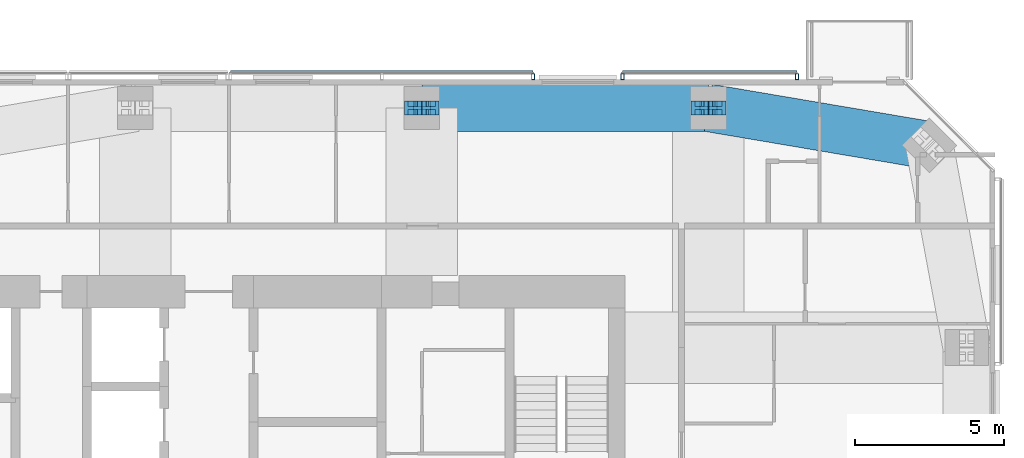
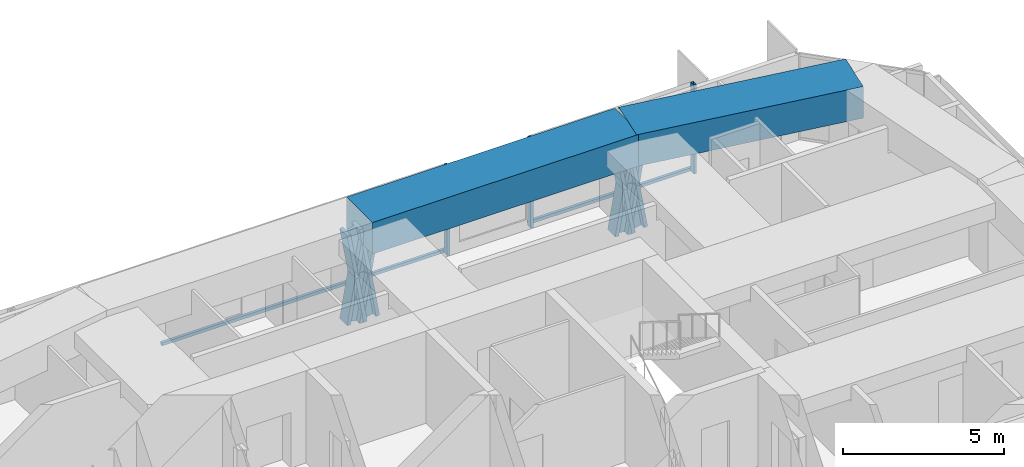
# One storey, part 11 of 20: 13 members, 2 beams, 2 elements without a shape of their own.
"""IFC4 building model written with IfcOpenShell, lengths in metres."""

from ifc_helpers import new_model, si_unit, direction, frame, origin, origin_2d, place, context, subcontext, project, spatial, rectangle, hollow_rectangle, i_section, extrude, material, material_profile, profile_set, type_object, element, aggregate, save


model = new_model("IFC4")

# Units and contexts
model_context = context("Model", 3, precision=1e-05, world=origin(), true_north=direction((0.0, 1.0)))
body_context = subcontext(model_context, "Body", "Model", "MODEL_VIEW")
ifc_project = project(units=[si_unit("LENGTHUNIT", "METRE"), si_unit("AREAUNIT", "SQUARE_METRE"), si_unit("VOLUMEUNIT", "CUBIC_METRE"), si_unit("PLANEANGLEUNIT", "RADIAN"), si_unit("MASSUNIT", "GRAM", prefix="KILO")], contexts=[model_context])

# Site, building, storey
site_placement = place(None, origin())
site = spatial("IfcSite", under=ifc_project, at=site_placement, CompositionType="ELEMENT")
building_placement = place(site_placement, origin())
building = spatial("IfcBuilding", under=site, at=building_placement, Name="Jalousie Tower", CompositionType="ELEMENT")
storey_placement = place(building_placement, frame((0.0, 0.0, 245.949951171875)))
storey = spatial("IfcBuildingStorey", under=building, at=storey_placement, Name="L67", CompositionType="ELEMENT", Elevation=245.949951171875)

# Members
ifc_material_1 = material(Name="Steel ASTM A992 Grade 50", Category="steel")
ifc_material_profile_1 = material_profile(ifc_material_1, i_section(OverallWidth=0.472412109375, OverallDepth=0.5791015625, WebThickness=0.094970703125, FlangeThickness=0.1298828125, at=origin_2d()), Name="W14X808")
ifc_profile_set_1 = profile_set([ifc_material_profile_1], Name="Steel ASTM A992 Grade 50")
member_type_1 = type_object("IfcMemberType", Name="PERIMETER BRACE W14X808", PredefinedType="BRACE", material=ifc_profile_set_1)
for number, where, z_axis, x_axis, name in (
    (1, (46.574951171875, 33.050048828125, -0.599853515625), (0.168990530437, 0.0, 0.98561767467), (0.0, 1.0, 0.0), "Perimeter brace 09 L67 part 1"),
    (2, (46.875, 33.050048828125, 1.150146484375), (0.168990530437, 0.0, 0.98561767467), (0.0, 1.0, 0.0), "Perimeter brace 09 L67 part 2"),
    (3, (47.175048828125, 33.050048828125, -0.599853515625), (-0.168990530437, 0.0, 0.98561767467), (0.0, -1.0, 0.0), "Perimeter brace 09 L67 part 3"),
    (4, (46.875, 33.050048828125, 1.150146484375), (-0.168990530437, 0.0, 0.98561767467), (0.0, -1.0, 0.0), "Perimeter brace 09 L67 part 4"),
    (5, (36.949951171875, 33.050048828125, -0.599853515625), (0.168990530437, 0.0, 0.98561767467), (0.0, 1.0, 0.0), "Perimeter brace 10 L67 part 1"),
    (6, (37.25, 33.050048828125, 1.150146484375), (0.168990530437, 0.0, 0.98561767467), (0.0, 1.0, 0.0), "Perimeter brace 10 L67 part 2"),
    (7, (37.550048828125, 33.050048828125, -0.599853515625), (-0.168990530437, 0.0, 0.98561767467), (0.0, -1.0, 0.0), "Perimeter brace 10 L67 part 3"),
    (8, (37.25, 33.050048828125, 1.150146484375), (-0.168990530437, 0.0, 0.98561767467), (0.0, -1.0, 0.0), "Perimeter brace 10 L67 part 4"),
):
    element("IfcMember", number, at=place(storey_placement, frame(where, z_axis=z_axis, x_axis=x_axis)), inside=storey, type_object=member_type_1, Name=name, PredefinedType="BRACE", context=body_context, shape_type="SweptSolid", body=[
        extrude(i_section(OverallWidth=0.472412109375, OverallDepth=0.5791015625, WebThickness=0.094970703125, FlangeThickness=0.1298828125, at=origin_2d()), origin(), (0.0, 0.0, 1.0), 1.775634765625),
    ])

# Beams
ifc_material_2 = material(Name="Concrete f'c 40 MPa", Category="concrete")
ifc_material_profile_2 = material_profile(ifc_material_2, rectangle(XDim=1.60009765625, YDim=1.199951171875, at=origin_2d()), Name="RC 1600x1200")
ifc_profile_set_2 = profile_set([ifc_material_profile_2], Name="Concrete f'c 40 MPa")
beam_type = type_object("IfcBeamType", Name="RC BEAM 1600x1200", PredefinedType="BEAM", material=ifc_profile_set_2)
beam_1_placement = place(storey_placement, frame((54.29296875, 31.79296875, 2.900146484375), z_axis=(-0.985942997446, 0.167082033105, 0.0), x_axis=(-0.167082033105, -0.985942997446, 0.0)))
element("IfcBeam", 9, at=beam_1_placement, inside=storey, type_object=beam_type, Name="Edge band beam 08-09 under L68", PredefinedType="BEAM", context=body_context, shape_type="SweptSolid", body=[
    extrude(rectangle(XDim=1.60009765625, YDim=1.199951171875, at=origin_2d()), origin(), (0.0, 0.0, 1.0), 7.523681640625),
])
beam_2_placement = place(storey_placement, frame((46.875, 33.050048828125, 2.900146484375), z_axis=(-1.0, 0.0, 0.0), x_axis=(0.0, -1.0, 0.0)))
element("IfcBeam", 10, at=beam_2_placement, inside=storey, type_object=beam_type, Name="Edge band beam 09-10 under L68", PredefinedType="BEAM", context=body_context, shape_type="SweptSolid", body=[
    extrude(rectangle(XDim=1.60009765625, YDim=1.199951171875, at=origin_2d()), origin(), (0.0, 0.0, 1.0), 9.625),
])

# Curtain wall, members
ifc_material_3 = material(Name="Perforated aluminium sheet", Category="aluminium")
curtain_wall_type = type_object("IfcCurtainWallType", Name="SOLAR SCREEN SS-2", PredefinedType="USERDEFINED", material=ifc_material_3)
curtain_wall_1_placement = place(storey_placement, origin())
curtain_wall_1 = element("IfcCurtainWall", 11, at=curtain_wall_1_placement, inside=storey, type_object=curtain_wall_type, Name="Solar screen L67", ObjectType="SOLAR SCREEN SS-2", PredefinedType="USERDEFINED")
ifc_material_4 = material(Name="Steel ASTM A500 Grade C", Category="steel")
ifc_material_profile_3 = material_profile(ifc_material_4, hollow_rectangle(XDim=0.1015625, YDim=0.203125, WallThickness=0.0078125, at=origin_2d()), Name="HSS8X4X5/16")
ifc_profile_set_3 = profile_set([ifc_material_profile_3], Name="Steel ASTM A500 Grade C")
member_type_2 = type_object("IfcMemberType", Name="SOLAR SCREEN SS-2 MULLION", PredefinedType="MULLION", material=ifc_profile_set_3)
member_1_placement = place(storey_placement, frame((49.8486328125, 34.0966796875, -0.119873046875), z_axis=(0.0, 0.0, 1.0), x_axis=(-1.0, 0.0, 0.0)))
member_1 = element("IfcMember", 12, at=member_1_placement, type_object=member_type_2, Name="SS2 post 1", PredefinedType="MULLION", context=body_context, shape_type="SweptSolid", body=[
    extrude(hollow_rectangle(XDim=0.1015625, YDim=0.203125, WallThickness=0.0078125, at=origin_2d()), origin(), (0.0, 0.0, 1.0), 3.3798828125),
])
member_2_placement = place(storey_placement, frame((43.98876953125, 34.0966796875, -0.119873046875), z_axis=(0.0, 0.0, 1.0), x_axis=(-1.0, 0.0, 0.0)))
member_2 = element("IfcMember", 13, at=member_2_placement, type_object=member_type_2, Name="SS2 post 2", PredefinedType="MULLION", context=body_context, shape_type="SweptSolid", body=[
    extrude(hollow_rectangle(XDim=0.1015625, YDim=0.203125, WallThickness=0.0078125, at=origin_2d()), origin(), (0.0, 0.0, 1.0), 3.3798828125),
])

# Curtain wall, member
curtain_wall_2_placement = place(storey_placement, origin())
curtain_wall_2 = element("IfcCurtainWall", 14, at=curtain_wall_2_placement, inside=storey, type_object=curtain_wall_type, Name="Solar screen L67", ObjectType="SOLAR SCREEN SS-2", PredefinedType="USERDEFINED")
member_3_placement = place(storey_placement, frame((40.98876953125, 34.0966796875, -0.119873046875), z_axis=(0.0, 0.0, 1.0), x_axis=(-1.0, 0.0, 0.0)))
member_3 = element("IfcMember", 15, at=member_3_placement, type_object=member_type_2, Name="SS2 post 1", PredefinedType="MULLION", context=body_context, shape_type="SweptSolid", body=[
    extrude(hollow_rectangle(XDim=0.1015625, YDim=0.203125, WallThickness=0.0078125, at=origin_2d()), origin(), (0.0, 0.0, 1.0), 3.3798828125),
])

# Member
ifc_material_5 = material(Name="Extruded aluminium screen rail", Category="aluminium")
ifc_material_profile_4 = material_profile(ifc_material_5, rectangle(XDim=0.1015625, YDim=0.1201171875, at=origin_2d()), Name="RAIL 102x120")
ifc_profile_set_4 = profile_set([ifc_material_profile_4], Name="Extruded aluminium screen rail")
member_type_3 = type_object("IfcMemberType", Name="SOLAR SCREEN SS-2 TRANSOM", PredefinedType="USERDEFINED", material=ifc_profile_set_4)
member_4_placement = place(storey_placement, frame((49.8486328125, 34.2490234375, -0.06005859375), z_axis=(-1.0, 0.0, 0.0), x_axis=(0.0, -1.0, 0.0)))
member_4 = element("IfcMember", 16, at=member_4_placement, type_object=member_type_3, Name="SS2 rail", ObjectType="TRANSOM", PredefinedType="USERDEFINED", context=body_context, shape_type="SweptSolid", body=[
    extrude(rectangle(XDim=0.1015625, YDim=0.1201171875, at=origin_2d()), origin(), (0.0, 0.0, 1.0), 5.85986328125),
])

aggregate(curtain_wall_1, [member_1, member_2, member_4])

member_5_placement = place(storey_placement, frame((40.98876953125, 34.2490234375, -0.06005859375), z_axis=(-1.0, 0.0, 0.0), x_axis=(0.0, -1.0, 0.0)))
member_5 = element("IfcMember", 17, at=member_5_placement, type_object=member_type_3, Name="SS2 rail", ObjectType="TRANSOM", PredefinedType="USERDEFINED", context=body_context, shape_type="SweptSolid", body=[
    extrude(rectangle(XDim=0.1015625, YDim=0.1201171875, at=origin_2d()), origin(), (0.0, 0.0, 1.0), 10.163818359375),
])

aggregate(curtain_wall_2, [member_3, member_5])

save(model, "model.ifc")
